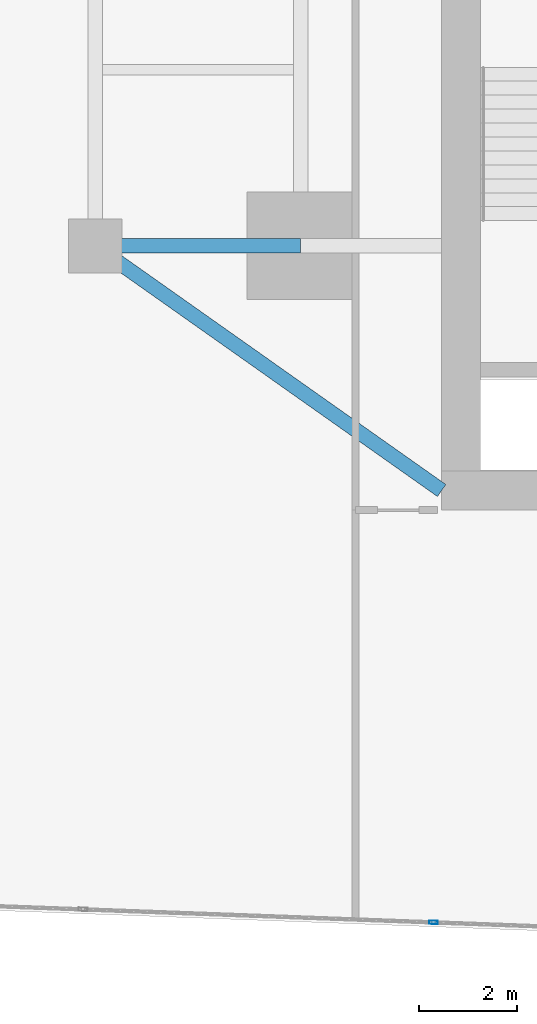
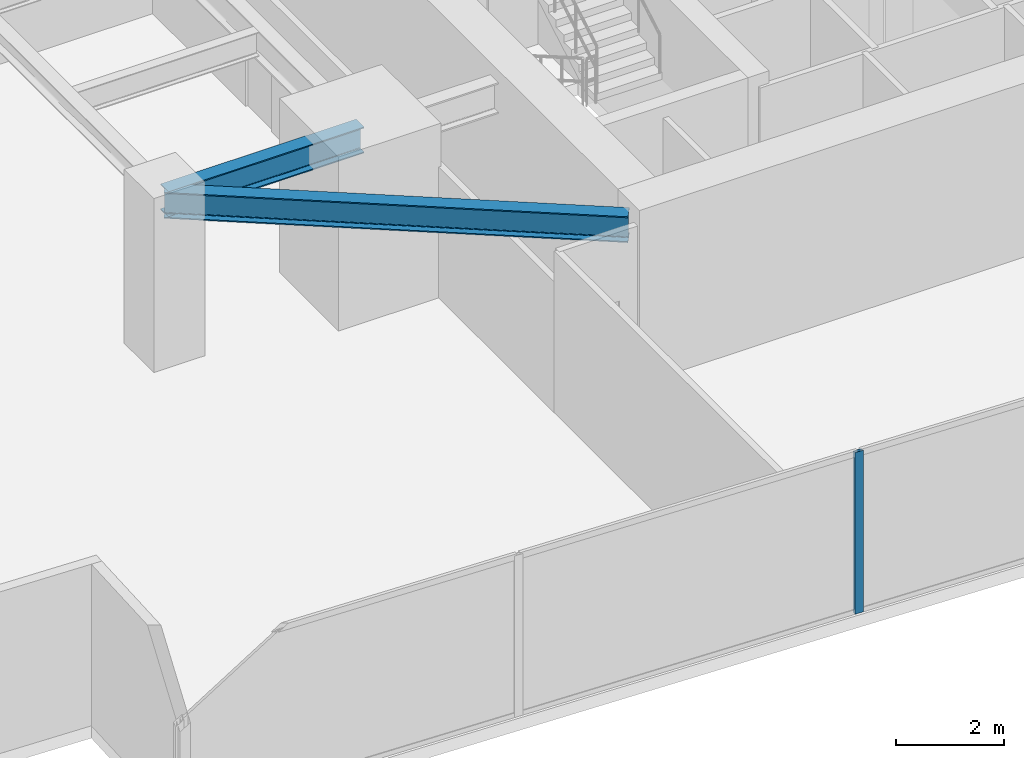
# One storey, part 5 of 30: 2 beams, 1 member, 1 element without a shape of its own.
"""IFC4 building model written with IfcOpenShell, lengths in metres."""

from ifc_helpers import new_model, si_unit, direction, frame, origin, origin_2d, place, context, subcontext, project, spatial, hollow_rectangle, i_section, extrude, source, transform, mapped, material, material_profile, profile_set, type_object, type_shapes, element, aggregate, save


model = new_model("IFC4")

# Units and contexts
model_context = context("Model", 3, precision=1e-05, world=origin(), true_north=direction((0.0, 1.0)))
body_context = subcontext(model_context, "Body", "Model", "MODEL_VIEW")
ifc_project = project(units=[si_unit("LENGTHUNIT", "METRE"), si_unit("AREAUNIT", "SQUARE_METRE"), si_unit("VOLUMEUNIT", "CUBIC_METRE"), si_unit("PLANEANGLEUNIT", "RADIAN"), si_unit("MASSUNIT", "GRAM", prefix="KILO")], contexts=[model_context])

# Site, building, storey
site_placement = place(None, origin())
site = spatial("IfcSite", under=ifc_project, at=site_placement, CompositionType="ELEMENT")
building_placement = place(site_placement, origin())
building = spatial("IfcBuilding", under=site, at=building_placement, Name="Krantzveldt Concourse Tower", CompositionType="ELEMENT")
storey_placement = place(building_placement, frame((0.0, 0.0, 40.800048828125)))
storey = spatial("IfcBuildingStorey", under=building, at=storey_placement, Name="L09", CompositionType="ELEMENT", Elevation=40.800048828125)

# Beams
ifc_material_1 = material(Name="Steel S355JR", Category="steel")
ifc_material_profile_1 = material_profile(ifc_material_1, i_section(OverallWidth=0.300048828125, OverallDepth=0.590087890625, WebThickness=0.012939453125, FlangeThickness=0.02490234375, FilletRadius=0.027099609375, at=origin_2d()), Name="Steel S355JR", Category="steel")
ifc_profile_set_1 = profile_set([ifc_material_profile_1], Name="Steel S355JR - HEA 600")
beam_type = type_object("IfcBeamType", Name="BM-B-HEA600", PredefinedType="BEAM", material=ifc_profile_set_1)
shared_shape_1 = source(origin(), body_context, "Body", "SweptSolid", [
    extrude(i_section(OverallWidth=0.300048828125, OverallDepth=0.590087890625, WebThickness=0.012939453125, FlangeThickness=0.02490234375, FilletRadius=0.027099609375, at=origin_2d()), origin(), (0.0, 0.0, 1.0), 4.199951171875),
])
beam_1_placement = place(storey_placement, frame((21.0, 15.89990234375, 3.375), z_axis=(1.0, 0.0, 0.0), x_axis=(0.0, 1.0, 0.0)))
element("IfcBeam", 1, at=beam_1_placement, inside=storey, type_object=beam_type, Name="L09 Tower Girder BR-RL1", PredefinedType="BEAM", context=body_context, shape_type="MappedRepresentation", body=[
    mapped(shared_shape_1, transform((0.0, 0.0, 0.0), x_axis=(1.0, 0.0, 0.0), y_axis=(0.0, 1.0, 0.0), z_axis=(0.0, 0.0, 1.0), scale=1.0)),
])
shared_shape_2 = source(origin(), body_context, "Body", "SweptSolid", [
    extrude(i_section(OverallWidth=0.300048828125, OverallDepth=0.590087890625, WebThickness=0.012939453125, FlangeThickness=0.02490234375, FilletRadius=0.027099609375, at=origin_2d()), origin(), (0.0, 0.0, 1.0), 8.667724609375),
])
type_shapes(beam_type, [shared_shape_1, shared_shape_2])
beam_2_placement = place(storey_placement, frame((21.0, 15.89990234375, 3.375), z_axis=(0.81684294656, -0.576860122261, 0.0), x_axis=(0.576860122261, 0.81684294656, 0.0)))
element("IfcBeam", 2, at=beam_2_placement, inside=storey, type_object=beam_type, Name="L09 Tower Girder BR-CSW", PredefinedType="BEAM", context=body_context, shape_type="MappedRepresentation", body=[
    mapped(shared_shape_2, transform((0.0, 0.0, 0.0), x_axis=(1.0, 0.0, 0.0), y_axis=(0.0, 1.0, 0.0), z_axis=(0.0, 0.0, 1.0), scale=1.0)),
])

# Curtain wall, member
ifc_material_2 = material(Name="Anodised aluminium 6063-T6", Category="aluminium")
curtain_wall_type = type_object("IfcCurtainWallType", Name="CW2", PredefinedType="USERDEFINED", material=ifc_material_2)
curtain_wall_placement = place(storey_placement, origin())
curtain_wall = element("IfcCurtainWall", 3, at=curtain_wall_placement, inside=storey, type_object=curtain_wall_type, Name="CW-L09-F04", ObjectType="UNITISED CURTAIN WALL", PredefinedType="USERDEFINED")
ifc_material_profile_2 = material_profile(ifc_material_2, hollow_rectangle(XDim=0.070068359375, YDim=0.179931640625, WallThickness=0.0048828125, at=origin_2d()), Name="Anodised aluminium 6063-T6", Category="aluminium")
ifc_profile_set_2 = profile_set([ifc_material_profile_2], Name="Anodised aluminium 6063-T6 - ALU-MULL 180x70x5")
member_type = type_object("IfcMemberType", Name="CW-MUL-180", PredefinedType="MULLION", material=ifc_profile_set_2)
shared_shape_3 = source(origin(), body_context, "Body", "SweptSolid", [
    extrude(hollow_rectangle(XDim=0.070068359375, YDim=0.179931640625, WallThickness=0.0048828125, at=origin_2d()), origin(), (0.0, 0.0, 1.0), 3.669921875),
])
type_shapes(member_type, [shared_shape_3])
member_placement = place(storey_placement, frame((27.91455078125, 2.07275390625, 0.0), z_axis=(0.0, 0.0, 1.0), x_axis=(0.037079766834, 0.999312308986, 0.0)))
member = element("IfcMember", 4, at=member_placement, type_object=member_type, Name="CW-Z12 mullion 3", PredefinedType="MULLION", context=body_context, shape_type="MappedRepresentation", body=[
    mapped(shared_shape_3, transform((0.0, 0.0, 0.0), x_axis=(1.0, 0.0, 0.0), y_axis=(0.0, 1.0, 0.0), z_axis=(0.0, 0.0, 1.0), scale=1.0)),
])
aggregate(curtain_wall, [member])

save(model, "model.ifc")
